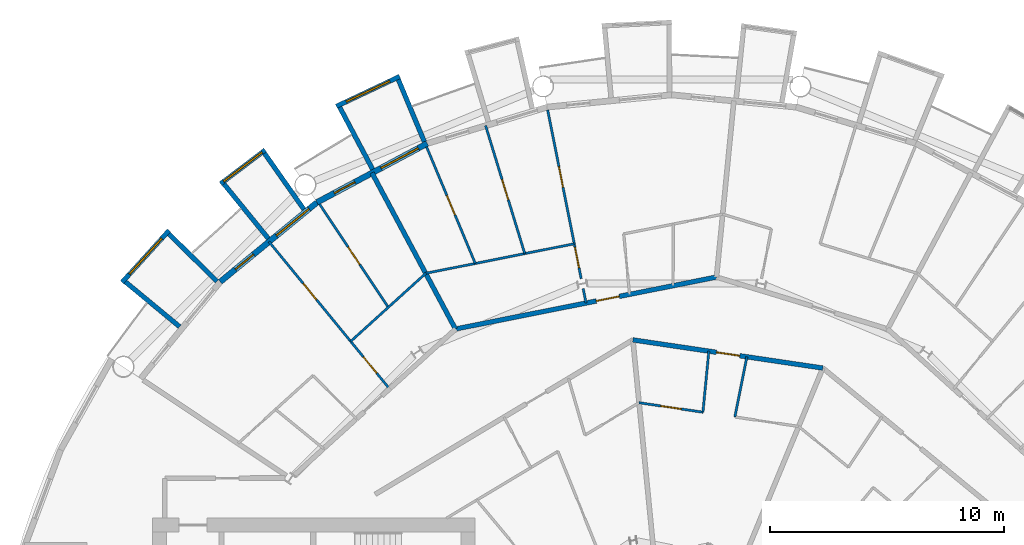
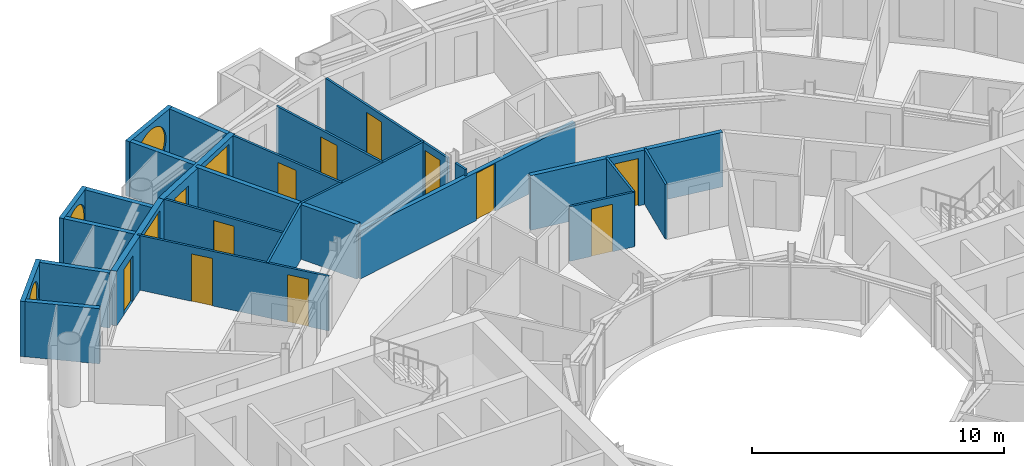
# One storey, part 20 of 27: 25 walls, 12 doors, 5 windows, 17 openings.
"""IFC4 building model written with IfcOpenShell, lengths in metres."""

from ifc_helpers import new_model, si_unit, direction, frame, frame_2d, origin, place, context, subcontext, project, spatial, rectangle, circle, extrude, material, layer, layer_set, type_object, element, fill, save


model = new_model("IFC4")

# Units and contexts
model_context = context("Model", 3, precision=1e-05, world=origin(), true_north=direction((0.0, 1.0)))
body_context = subcontext(model_context, "Body", "Model", "MODEL_VIEW")
ifc_project = project(units=[si_unit("LENGTHUNIT", "METRE"), si_unit("AREAUNIT", "SQUARE_METRE"), si_unit("VOLUMEUNIT", "CUBIC_METRE"), si_unit("PLANEANGLEUNIT", "RADIAN"), si_unit("MASSUNIT", "GRAM", prefix="KILO")], contexts=[model_context])

# Site, building, storey
site_placement = place(None, origin())
site = spatial("IfcSite", under=ifc_project, at=site_placement, CompositionType="ELEMENT")
building_placement = place(site_placement, origin())
building = spatial("IfcBuilding", under=site, at=building_placement, Name="Maasbend Ring Residences", CompositionType="ELEMENT")
storey_placement = place(building_placement, frame((0.0, 0.0, 136.050048828125)))
storey = spatial("IfcBuildingStorey", under=building, at=storey_placement, Name="L39", CompositionType="ELEMENT", Elevation=136.050048828125)

# Wall, opening, door
ifc_material_1 = material(Name="Concrete C30/37", Category="concrete")
ifc_layer_1 = layer(ifc_material_1, 0.199951171875)
ifc_layer_set_1 = layer_set([ifc_layer_1], Name="Concrete C30/37")
wall_type_1 = type_object("IfcWallType", Name="CORRIDOR WALL 200 CONCRETE", PredefinedType="PARTITIONING", material=ifc_layer_set_1)
wall_1_placement = place(storey_placement, frame((-1.656005859375, 16.819091796875, 0.0), z_axis=(0.0, 0.0, 1.0), x_axis=(0.989174071716, -0.146746910856, 0.0)))
wall_1 = element("IfcWall", 1, at=wall_1_placement, inside=storey, type_object=wall_type_1, Name="U-L39-w108", PredefinedType="PARTITIONING", context=body_context, shape_type="SweptSolid", body=[
    extrude(rectangle(XDim=8.2119140625, YDim=0.199951171875, at=frame_2d((4.10595703125, 0.0))), origin(), (0.0, 0.0, 1.0), 2.64990234375),
])
opening_1_placement = place(wall_1_placement, frame((3.614013671875, 0.0, 0.0)))
opening_1 = element("IfcOpeningElement", 2, at=opening_1_placement, cuts=wall_1, Name="Opening D-3928", PredefinedType="OPENING", context=body_context, shape_type="SweptSolid", body=[
    extrude(rectangle(XDim=1.0, YDim=2.300048828125, at=frame_2d((0.5, 1.14990234375))), frame((0.0, 0.10986328125, 0.0), z_axis=(0.0, -1.0, 0.0), x_axis=(1.0, 0.0, 0.0)), (0.0, 0.0, 1.0), 0.219970703125),
])
ifc_material_2 = material(Name="Timber, fire-rated, painted", Category="wood")
door_type_1 = type_object("IfcDoorType", Name="FLAT ENTRANCE DOOR 1000 X 2300 FIRE-RATED", OperationType="NOTDEFINED", PredefinedType="DOOR", material=ifc_material_2)
door_1_placement = place(opening_1_placement, origin())
door_1 = element("IfcDoor", 3, at=door_1_placement, inside=storey, type_object=door_type_1, Name="D-3928", OperationType="SINGLE_SWING_RIGHT", OverallHeight=2.300048828125, OverallWidth=1.0, PredefinedType="DOOR", context=body_context, shape_type="SweptSolid", body=[
    extrude(rectangle(XDim=1.0, YDim=2.300048828125, at=frame_2d((0.5, 1.14990234375))), frame((0.0, 0.02490234375, 0.0), z_axis=(0.0, -1.0, 0.0), x_axis=(1.0, 0.0, 0.0)), (0.0, 0.0, 1.0), 0.050048828125),
])
fill(opening_1, door_1)

wall_2_placement = place(storey_placement, frame((-9.239013671875, 17.285888671875, 0.0), z_axis=(0.0, 0.0, 1.0), x_axis=(0.98077905287, 0.195121627328, 0.0)))
wall_2 = element("IfcWall", 4, at=wall_2_placement, inside=storey, type_object=wall_type_1, Name="U-L39-w109", PredefinedType="PARTITIONING", context=body_context, shape_type="SweptSolid", body=[
    extrude(rectangle(XDim=11.378662109375, YDim=0.199951171875, at=frame_2d((5.689453125, 0.0))), origin(), (0.0, 0.0, 1.0), 2.33984375),
])
opening_2_placement = place(wall_2_placement, frame((6.137939453125, 0.0, 0.0)))
opening_2 = element("IfcOpeningElement", 5, at=opening_2_placement, cuts=wall_2, Name="Opening D-3911", PredefinedType="OPENING", context=body_context, shape_type="SweptSolid", body=[
    extrude(rectangle(XDim=1.0, YDim=2.300048828125, at=frame_2d((0.5, 1.14990234375))), frame((0.0, 0.10986328125, 0.0), z_axis=(0.0, -1.0, 0.0), x_axis=(1.0, 0.0, 0.0)), (0.0, 0.0, 1.0), 0.219970703125),
])
door_2_placement = place(opening_2_placement, origin())
door_2 = element("IfcDoor", 6, at=door_2_placement, inside=storey, type_object=door_type_1, Name="D-3911", OperationType="SINGLE_SWING_RIGHT", OverallHeight=2.300048828125, OverallWidth=1.0, PredefinedType="DOOR", context=body_context, shape_type="SweptSolid", body=[
    extrude(rectangle(XDim=1.0, YDim=2.300048828125, at=frame_2d((0.5, 1.14990234375))), frame((0.0, 0.02490234375, 0.0), z_axis=(0.0, -1.0, 0.0), x_axis=(1.0, 0.0, 0.0)), (0.0, 0.0, 1.0), 0.050048828125),
])
fill(opening_2, door_2)

# Wall, opening, window
ifc_material_3 = material(Name="Pale anodised aluminium panel", Category="aluminium")
ifc_layer_2 = layer(ifc_material_3, 0.199951171875)
ifc_layer_set_2 = layer_set([ifc_layer_2], Name="EW-BOX")
wall_type_2 = type_object("IfcWallType", Name="EW-BOX", PredefinedType="SOLIDWALL", material=ifc_layer_set_2)
wall_3_placement = place(storey_placement, frame((-11.62890625, 28.087890625, -0.030029296875), z_axis=(0.0, 0.0, 1.0), x_axis=(-0.904000060331, -0.427532327342, 0.0)))
wall_3 = element("IfcWall", 7, at=wall_3_placement, inside=storey, type_object=wall_type_2, Name="Box front N15", PredefinedType="SOLIDWALL", context=body_context, shape_type="SweptSolid", body=[
    extrude(rectangle(XDim=2.993408203125, YDim=0.199951171875, at=frame_2d((1.49658203125, 0.0))), origin(), (0.0, 0.0, 1.0), 2.679931640625),
])
opening_3_placement = place(wall_3_placement, frame((0.45654296875, 0.0, 0.330078125)))
opening_3 = element("IfcOpeningElement", 8, at=opening_3_placement, cuts=wall_3, Name="Opening W-RD", PredefinedType="OPENING", context=body_context, shape_type="SweptSolid", body=[
    extrude(circle(Radius=1.0400390625, at=frame_2d((1.0400390625, 1.0400390625))), frame((0.0, 0.10986328125, 0.0), z_axis=(0.0, -1.0, 0.0), x_axis=(1.0, 0.0, 0.0)), (0.0, 0.0, 1.0), 0.219970703125),
])
ifc_material_4 = material(Name="Aluminium and clear glass", Category="aluminium")
window_type_1 = type_object("IfcWindowType", Name="W-RD", PartitioningType="SINGLE_PANEL", PredefinedType="WINDOW", material=ifc_material_4)
window_1_placement = place(opening_3_placement, origin())
window_1 = element("IfcWindow", 9, at=window_1_placement, inside=storey, type_object=window_type_1, Name="Round window N15", OverallHeight=2.080078125, OverallWidth=2.080078125, PartitioningType="SINGLE_PANEL", PredefinedType="WINDOW", context=body_context, shape_type="SweptSolid", body=[
    extrude(circle(Radius=1.0400390625, at=frame_2d((1.0400390625, 1.0400390625))), frame((0.0, 0.030029296875, 0.0), z_axis=(0.0, -1.0, 0.0), x_axis=(1.0, 0.0, 0.0)), (0.0, 0.0, 1.0), 0.06005859375),
])
fill(opening_3, window_1)

# Walls
wall_4_placement = place(storey_placement, frame((-10.574951171875, 25.294921875, -0.030029296875), z_axis=(0.0, 0.0, 1.0), x_axis=(-0.385697364644, 0.922625353492, 0.0)))
element("IfcWall", 10, at=wall_4_placement, inside=storey, type_object=wall_type_2, Name="Box side wall N15 left", PredefinedType="SOLIDWALL", context=body_context, shape_type="SweptSolid", body=[
    extrude(rectangle(XDim=2.88330078125, YDim=0.199951171875, at=frame_2d((1.441650390625, 0.0))), origin(), (0.0, 0.0, 1.0), 2.679931640625),
])
wall_5_placement = place(storey_placement, frame((-12.787109375, 24.113037109375, -0.030029296875), z_axis=(0.0, 0.0, 1.0), x_axis=(-0.468365282436, 0.883534924159, 0.0)))
element("IfcWall", 11, at=wall_5_placement, inside=storey, type_object=wall_type_2, Name="Box side wall N15 right", PredefinedType="SOLIDWALL", context=body_context, shape_type="SweptSolid", body=[
    extrude(rectangle(XDim=3.006103515625, YDim=0.199951171875, at=frame_2d((1.5029296875, 0.0))), origin(), (0.0, 0.0, 1.0), 2.679931640625),
])

# Wall, opening, window
wall_6_placement = place(storey_placement, frame((-17.382080078125, 24.93994140625, -0.030029296875), z_axis=(0.0, 0.0, 1.0), x_axis=(-0.797456837111, -0.603375996329, 0.0)))
wall_6 = element("IfcWall", 12, at=wall_6_placement, inside=storey, type_object=wall_type_2, Name="Box front N17", PredefinedType="SOLIDWALL", context=body_context, shape_type="SweptSolid", body=[
    extrude(rectangle(XDim=2.391357421875, YDim=0.199951171875, at=frame_2d((1.19580078125, 0.0))), origin(), (0.0, 0.0, 1.0), 2.679931640625),
])
opening_4_placement = place(wall_6_placement, frame((0.15576171875, 0.0, 0.330078125)))
opening_4 = element("IfcOpeningElement", 13, at=opening_4_placement, cuts=wall_6, Name="Opening W-RD", PredefinedType="OPENING", context=body_context, shape_type="SweptSolid", body=[
    extrude(circle(Radius=1.0400390625, at=frame_2d((1.0400390625, 1.0400390625))), frame((0.0, 0.10986328125, 0.0), z_axis=(0.0, -1.0, 0.0), x_axis=(1.0, 0.0, 0.0)), (0.0, 0.0, 1.0), 0.219970703125),
])
window_2_placement = place(opening_4_placement, origin())
window_2 = element("IfcWindow", 14, at=window_2_placement, inside=storey, type_object=window_type_1, Name="Round window N17", OverallHeight=2.080078125, OverallWidth=2.080078125, PartitioningType="SINGLE_PANEL", PredefinedType="WINDOW", context=body_context, shape_type="SweptSolid", body=[
    extrude(circle(Radius=1.0400390625, at=frame_2d((1.0400390625, 1.0400390625))), frame((0.0, 0.030029296875, 0.0), z_axis=(0.0, -1.0, 0.0), x_axis=(1.0, 0.0, 0.0)), (0.0, 0.0, 1.0), 0.06005859375),
])
fill(opening_4, window_2)

# Walls
wall_7_placement = place(storey_placement, frame((-15.72607421875, 22.402099609375, -0.030029296875), z_axis=(0.0, 0.0, 1.0), x_axis=(-0.574826383135, 0.818275399393, 0.0)))
element("IfcWall", 15, at=wall_7_placement, inside=storey, type_object=wall_type_2, Name="Box side wall N17 left", PredefinedType="SOLIDWALL", context=body_context, shape_type="SweptSolid", body=[
    extrude(rectangle(XDim=2.92919921875, YDim=0.199951171875, at=frame_2d((1.464599609375, 0.0))), origin(), (0.0, 0.0, 1.0), 2.679931640625),
])
wall_8_placement = place(storey_placement, frame((-17.24609375, 21.155029296875, -0.030029296875), z_axis=(0.0, 0.0, 1.0), x_axis=(-0.631741648902, 0.775179004516, 0.0)))
element("IfcWall", 16, at=wall_8_placement, inside=storey, type_object=wall_type_2, Name="Box side wall N17 right", PredefinedType="SOLIDWALL", context=body_context, shape_type="SweptSolid", body=[
    extrude(rectangle(XDim=3.005859375, YDim=0.199951171875, at=frame_2d((1.5029296875, 0.0))), origin(), (0.0, 0.0, 1.0), 2.679931640625),
])

# Wall, opening, window
wall_9_placement = place(storey_placement, frame((-21.492919921875, 21.5, -0.030029296875), z_axis=(0.0, 0.0, 1.0), x_axis=(-0.671506829416, -0.740998365753, 0.0)))
wall_9 = element("IfcWall", 17, at=wall_9_placement, inside=storey, type_object=wall_type_2, Name="Box front N19", PredefinedType="SOLIDWALL", context=body_context, shape_type="SweptSolid", body=[
    extrude(rectangle(XDim=2.9931640625, YDim=0.199951171875, at=frame_2d((1.49658203125, 0.0))), origin(), (0.0, 0.0, 1.0), 2.679931640625),
])
opening_5_placement = place(wall_9_placement, frame((0.45654296875, 0.0, 0.330078125)))
opening_5 = element("IfcOpeningElement", 18, at=opening_5_placement, cuts=wall_9, Name="Opening W-RD", PredefinedType="OPENING", context=body_context, shape_type="SweptSolid", body=[
    extrude(circle(Radius=1.0400390625, at=frame_2d((1.0400390625, 1.0400390625))), frame((0.0, 0.10986328125, 0.0), z_axis=(0.0, -1.0, 0.0), x_axis=(1.0, 0.0, 0.0)), (0.0, 0.0, 1.0), 0.219970703125),
])
window_3_placement = place(opening_5_placement, origin())
window_3 = element("IfcWindow", 19, at=window_3_placement, inside=storey, type_object=window_type_1, Name="Round window N19", OverallHeight=2.080078125, OverallWidth=2.080078125, PartitioningType="SINGLE_PANEL", PredefinedType="WINDOW", context=body_context, shape_type="SweptSolid", body=[
    extrude(circle(Radius=1.0400390625, at=frame_2d((1.0400390625, 1.0400390625))), frame((0.0, 0.030029296875, 0.0), z_axis=(0.0, -1.0, 0.0), x_axis=(1.0, 0.0, 0.0)), (0.0, 0.0, 1.0), 0.06005859375),
])
fill(opening_5, window_3)

# Walls
wall_10_placement = place(storey_placement, frame((-19.449951171875, 19.322998046875, -0.030029296875), z_axis=(0.0, 0.0, 1.0), x_axis=(-0.709727076896, 0.704476739375, 0.0)))
element("IfcWall", 20, at=wall_10_placement, inside=storey, type_object=wall_type_2, Name="Box side wall N19 left", PredefinedType="SOLIDWALL", context=body_context, shape_type="SweptSolid", body=[
    extrude(rectangle(XDim=2.883056640625, YDim=0.199951171875, at=frame_2d((1.44140625, 0.0))), origin(), (0.0, 0.0, 1.0), 2.679931640625),
])
wall_11_placement = place(storey_placement, frame((-21.041015625, 17.384033203125, -0.030029296875), z_axis=(0.0, 0.0, 1.0), x_axis=(-0.770784861449, 0.63709551667, 0.0)))
element("IfcWall", 21, at=wall_11_placement, inside=storey, type_object=wall_type_2, Name="Box side wall N19 right", PredefinedType="SOLIDWALL", context=body_context, shape_type="SweptSolid", body=[
    extrude(rectangle(XDim=3.005859375, YDim=0.199951171875, at=frame_2d((1.5029296875, 0.0))), origin(), (0.0, 0.0, 1.0), 2.679931640625),
])

# Wall, openings, door, window
ifc_material_5 = material(Name="Aluminium clad insulated panel", Category="aluminium")
ifc_layer_3 = layer(ifc_material_5, 0.25)
ifc_layer_set_3 = layer_set([ifc_layer_3], Name="EW-GL")
wall_type_3 = type_object("IfcWallType", Name="EW-GL", PredefinedType="SOLIDWALL", material=ifc_layer_set_3)
wall_12_placement = place(storey_placement, frame((-10.447021484375, 25.221923828125, 0.0), z_axis=(0.0, 0.0, 1.0), x_axis=(-0.881915646801, -0.471407246368, 0.0)))
wall_12 = element("IfcWall", 22, at=wall_12_placement, inside=storey, type_object=wall_type_3, Name="External wall N08", PredefinedType="SOLIDWALL", context=body_context, shape_type="SweptSolid", body=[
    extrude(rectangle(XDim=5.35205078125, YDim=0.25, at=frame_2d((2.676025390625, 0.0))), origin(), (0.0, 0.0, 1.0), 2.64990234375),
])
opening_6_placement = place(wall_12_placement, frame((0.441162109375, 0.0, 0.300048828125)))
opening_6 = element("IfcOpeningElement", 23, at=opening_6_placement, cuts=wall_12, Name="Opening W-BX", PredefinedType="OPENING", context=body_context, shape_type="SweptSolid", body=[
    extrude(rectangle(XDim=1.800048828125, YDim=2.10009765625, at=frame_2d((0.89990234375, 1.050048828125))), frame((0.0, 0.135009765625, 0.0), z_axis=(0.0, -1.0, 0.0), x_axis=(1.0, 0.0, 0.0)), (0.0, 0.0, 1.0), 0.27001953125),
])
opening_7_placement = place(wall_12_placement, frame((3.510498046875, 0.0, 0.0)))
opening_7 = element("IfcOpeningElement", 24, at=opening_7_placement, cuts=wall_12, Name="Opening D-LG", PredefinedType="OPENING", context=body_context, shape_type="SweptSolid", body=[
    extrude(rectangle(XDim=1.0, YDim=2.199951171875, at=frame_2d((0.5, 1.10009765625))), frame((0.0, 0.135009765625, 0.0), z_axis=(0.0, -1.0, 0.0), x_axis=(1.0, 0.0, 0.0)), (0.0, 0.0, 1.0), 0.27001953125),
])
ifc_material_6 = material(Name="Aluminium and clear glass", Category="aluminium")
door_type_2 = type_object("IfcDoorType", Name="D-LG", OperationType="SINGLE_SWING_LEFT", PredefinedType="DOOR", material=ifc_material_6)
door_3_placement = place(opening_7_placement, origin())
door_3 = element("IfcDoor", 25, at=door_3_placement, inside=storey, type_object=door_type_2, Name="Loggia door N16", OperationType="SINGLE_SWING_LEFT", OverallHeight=2.199951171875, OverallWidth=1.0, PredefinedType="DOOR", context=body_context, shape_type="SweptSolid", body=[
    extrude(rectangle(XDim=1.0, YDim=2.199951171875, at=frame_2d((0.5, 1.10009765625))), frame((0.0, 0.02490234375, 0.0), z_axis=(0.0, -1.0, 0.0), x_axis=(1.0, 0.0, 0.0)), (0.0, 0.0, 1.0), 0.050048828125),
])
fill(opening_7, door_3)
ifc_material_7 = material(Name="Aluminium and clear glass", Category="aluminium")
window_type_2 = type_object("IfcWindowType", Name="W-BX", PartitioningType="DOUBLE_PANEL_VERTICAL", PredefinedType="WINDOW", material=ifc_material_7)
window_4_placement = place(opening_6_placement, origin())
window_4 = element("IfcWindow", 26, at=window_4_placement, inside=storey, type_object=window_type_2, Name="Window N15 room to box", OverallHeight=2.10009765625, OverallWidth=1.800048828125, PartitioningType="SINGLE_PANEL", PredefinedType="WINDOW", context=body_context, shape_type="SweptSolid", body=[
    extrude(rectangle(XDim=1.800048828125, YDim=2.10009765625, at=frame_2d((0.89990234375, 1.050048828125))), frame((0.0, 0.030029296875, 0.0), z_axis=(0.0, -1.0, 0.0), x_axis=(1.0, 0.0, 0.0)), (0.0, 0.0, 1.0), 0.06005859375),
])
fill(opening_6, window_4)

wall_13_placement = place(storey_placement, frame((-15.1669921875, 22.698974609375, 0.0), z_axis=(0.0, 0.0, 1.0), x_axis=(-0.773019449054, -0.634382322723, 0.0)))
wall_13 = element("IfcWall", 27, at=wall_13_placement, inside=storey, type_object=wall_type_3, Name="External wall N09", PredefinedType="SOLIDWALL", context=body_context, shape_type="SweptSolid", body=[
    extrude(rectangle(XDim=5.351806640625, YDim=0.25, at=frame_2d((2.67578125, 0.0))), origin(), (0.0, 0.0, 1.0), 2.64990234375),
])
opening_8_placement = place(wall_13_placement, frame((0.441162109375, 0.0, 0.300048828125)))
opening_8 = element("IfcOpeningElement", 28, at=opening_8_placement, cuts=wall_13, Name="Opening W-BX", PredefinedType="OPENING", context=body_context, shape_type="SweptSolid", body=[
    extrude(rectangle(XDim=1.800048828125, YDim=2.10009765625, at=frame_2d((0.89990234375, 1.050048828125))), frame((0.0, 0.135009765625, 0.0), z_axis=(0.0, -1.0, 0.0), x_axis=(1.0, 0.0, 0.0)), (0.0, 0.0, 1.0), 0.27001953125),
])
opening_9_placement = place(wall_13_placement, frame((3.510498046875, 0.0, 0.0)))
opening_9 = element("IfcOpeningElement", 29, at=opening_9_placement, cuts=wall_13, Name="Opening D-LG", PredefinedType="OPENING", context=body_context, shape_type="SweptSolid", body=[
    extrude(rectangle(XDim=1.0, YDim=2.199951171875, at=frame_2d((0.5, 1.10009765625))), frame((0.0, 0.135009765625, 0.0), z_axis=(0.0, -1.0, 0.0), x_axis=(1.0, 0.0, 0.0)), (0.0, 0.0, 1.0), 0.27001953125),
])
door_4_placement = place(opening_9_placement, origin())
door_4 = element("IfcDoor", 30, at=door_4_placement, inside=storey, type_object=door_type_2, Name="Loggia door N18", OperationType="SINGLE_SWING_LEFT", OverallHeight=2.199951171875, OverallWidth=1.0, PredefinedType="DOOR", context=body_context, shape_type="SweptSolid", body=[
    extrude(rectangle(XDim=1.0, YDim=2.199951171875, at=frame_2d((0.5, 1.10009765625))), frame((0.0, 0.02490234375, 0.0), z_axis=(0.0, -1.0, 0.0), x_axis=(1.0, 0.0, 0.0)), (0.0, 0.0, 1.0), 0.050048828125),
])
fill(opening_9, door_4)
window_5_placement = place(opening_8_placement, origin())
window_5 = element("IfcWindow", 31, at=window_5_placement, inside=storey, type_object=window_type_2, Name="Window N17 room to box", OverallHeight=2.10009765625, OverallWidth=1.800048828125, PartitioningType="SINGLE_PANEL", PredefinedType="WINDOW", context=body_context, shape_type="SweptSolid", body=[
    extrude(rectangle(XDim=1.800048828125, YDim=2.10009765625, at=frame_2d((0.89990234375, 1.050048828125))), frame((0.0, 0.030029296875, 0.0), z_axis=(0.0, -1.0, 0.0), x_axis=(1.0, 0.0, 0.0)), (0.0, 0.0, 1.0), 0.06005859375),
])
fill(opening_8, window_5)

# Wall, openings, doors
ifc_material_8 = material(Name="Gypsum board on steel studs", Category="steel")
ifc_layer_4 = layer(ifc_material_8, 0.10009765625)
ifc_layer_set_4 = layer_set([ifc_layer_4], Name="PARTITION 100 GYPSUM")
wall_type_4 = type_object("IfcWallType", Name="PARTITION 100 GYPSUM", PredefinedType="PARTITIONING", material=ifc_layer_set_4)
wall_14_placement = place(storey_placement, frame((-17.220947265625, 21.02197265625, 0.0), z_axis=(0.0, 0.0, 1.0), x_axis=(0.633735868108, -0.773549513266, 0.0)))
wall_14 = element("IfcWall", 32, at=wall_14_placement, inside=storey, type_object=wall_type_4, Name="U-L39-w032", PredefinedType="PARTITIONING", context=body_context, shape_type="SweptSolid", body=[
    extrude(rectangle(XDim=8.138916015625, YDim=0.10009765625, at=frame_2d((4.0693359375, 0.0))), origin(), (0.0, 0.0, 1.0), 2.64990234375),
])
opening_10_placement = place(wall_14_placement, frame((6.3779296875, 0.0, 0.0)))
opening_10 = element("IfcOpeningElement", 33, at=opening_10_placement, cuts=wall_14, Name="Opening D-3921", PredefinedType="OPENING", context=body_context, shape_type="SweptSolid", body=[
    extrude(rectangle(XDim=0.89990234375, YDim=2.300048828125, at=frame_2d((0.449951171875, 1.14990234375))), frame((0.0, 0.06005859375, 0.0), z_axis=(0.0, -1.0, 0.0), x_axis=(1.0, 0.0, 0.0)), (0.0, 0.0, 1.0), 0.1201171875),
])
opening_11_placement = place(wall_14_placement, frame((2.30810546875, 0.0, 0.0)))
opening_11 = element("IfcOpeningElement", 34, at=opening_11_placement, cuts=wall_14, Name="Opening D-3922", PredefinedType="OPENING", context=body_context, shape_type="SweptSolid", body=[
    extrude(rectangle(XDim=0.89990234375, YDim=2.300048828125, at=frame_2d((0.449951171875, 1.14990234375))), frame((0.0, 0.06005859375, 0.0), z_axis=(0.0, -1.0, 0.0), x_axis=(1.0, 0.0, 0.0)), (0.0, 0.0, 1.0), 0.1201171875),
])
ifc_material_9 = material(Name="Timber, painted", Category="wood")
door_type_3 = type_object("IfcDoorType", Name="INTERNAL DOOR 900 X 2300", OperationType="NOTDEFINED", PredefinedType="DOOR", material=ifc_material_9)
door_5_placement = place(opening_10_placement, origin())
door_5 = element("IfcDoor", 35, at=door_5_placement, inside=storey, type_object=door_type_3, Name="D-3921", OperationType="SINGLE_SWING_RIGHT", OverallHeight=2.300048828125, OverallWidth=0.89990234375, PredefinedType="DOOR", context=body_context, shape_type="SweptSolid", body=[
    extrude(rectangle(XDim=0.89990234375, YDim=2.300048828125, at=frame_2d((0.449951171875, 1.14990234375))), frame((0.0, 0.02490234375, 0.0), z_axis=(0.0, -1.0, 0.0), x_axis=(1.0, 0.0, 0.0)), (0.0, 0.0, 1.0), 0.050048828125),
])
fill(opening_10, door_5)
door_6_placement = place(opening_11_placement, origin())
door_6 = element("IfcDoor", 36, at=door_6_placement, inside=storey, type_object=door_type_3, Name="D-3922", OperationType="SINGLE_SWING_LEFT", OverallHeight=2.300048828125, OverallWidth=0.89990234375, PredefinedType="DOOR", context=body_context, shape_type="SweptSolid", body=[
    extrude(rectangle(XDim=0.89990234375, YDim=2.300048828125, at=frame_2d((0.449951171875, 1.14990234375))), frame((0.0, 0.02490234375, 0.0), z_axis=(0.0, -1.0, 0.0), x_axis=(1.0, 0.0, 0.0)), (0.0, 0.0, 1.0), 0.050048828125),
])
fill(opening_11, door_6)

# Wall, opening, door
wall_15_placement = place(storey_placement, frame((-15.053955078125, 22.6240234375, 0.0), z_axis=(0.0, 0.0, 1.0), x_axis=(0.553913391217, -0.832574294, 0.0)))
wall_15 = element("IfcWall", 37, at=wall_15_placement, inside=storey, type_object=wall_type_4, Name="U-L39-w037", PredefinedType="PARTITIONING", context=body_context, shape_type="SweptSolid", body=[
    extrude(rectangle(XDim=5.300537109375, YDim=0.10009765625, at=frame_2d((2.650390625, 0.0))), origin(), (0.0, 0.0, 1.0), 2.64990234375),
])
opening_12_placement = place(wall_15_placement, frame((2.199951171875, 0.0, 0.0)))
opening_12 = element("IfcOpeningElement", 38, at=opening_12_placement, cuts=wall_15, Name="Opening D-3923", PredefinedType="OPENING", context=body_context, shape_type="SweptSolid", body=[
    extrude(rectangle(XDim=0.89990234375, YDim=2.300048828125, at=frame_2d((0.449951171875, 1.14990234375))), frame((0.0, 0.06005859375, 0.0), z_axis=(0.0, -1.0, 0.0), x_axis=(1.0, 0.0, 0.0)), (0.0, 0.0, 1.0), 0.1201171875),
])
door_7_placement = place(opening_12_placement, origin())
door_7 = element("IfcDoor", 39, at=door_7_placement, inside=storey, type_object=door_type_3, Name="D-3923", OperationType="SINGLE_SWING_LEFT", OverallHeight=2.300048828125, OverallWidth=0.89990234375, PredefinedType="DOOR", context=body_context, shape_type="SweptSolid", body=[
    extrude(rectangle(XDim=0.89990234375, YDim=2.300048828125, at=frame_2d((0.449951171875, 1.14990234375))), frame((0.0, 0.02490234375, 0.0), z_axis=(0.0, -1.0, 0.0), x_axis=(1.0, 0.0, 0.0)), (0.0, 0.0, 1.0), 0.050048828125),
])
fill(opening_12, door_7)

wall_16_placement = place(storey_placement, frame((-10.47900390625, 25.072998046875, 0.0), z_axis=(0.0, 0.0, 1.0), x_axis=(0.385542476694, -0.922690088093, 0.0)))
wall_16 = element("IfcWall", 40, at=wall_16_placement, inside=storey, type_object=wall_type_4, Name="U-L39-w041", PredefinedType="PARTITIONING", context=body_context, shape_type="SweptSolid", body=[
    extrude(rectangle(XDim=5.40283203125, YDim=0.10009765625, at=frame_2d((2.701416015625, 0.0))), origin(), (0.0, 0.0, 1.0), 2.64990234375),
])
opening_13_placement = place(wall_16_placement, frame((2.2509765625, 0.0, 0.0)))
opening_13 = element("IfcOpeningElement", 41, at=opening_13_placement, cuts=wall_16, Name="Opening D-3917", PredefinedType="OPENING", context=body_context, shape_type="SweptSolid", body=[
    extrude(rectangle(XDim=0.89990234375, YDim=2.300048828125, at=frame_2d((0.449951171875, 1.14990234375))), frame((0.0, 0.06005859375, 0.0), z_axis=(0.0, -1.0, 0.0), x_axis=(1.0, 0.0, 0.0)), (0.0, 0.0, 1.0), 0.1201171875),
])
door_8_placement = place(opening_13_placement, origin())
door_8 = element("IfcDoor", 42, at=door_8_placement, inside=storey, type_object=door_type_3, Name="D-3917", OperationType="SINGLE_SWING_RIGHT", OverallHeight=2.300048828125, OverallWidth=0.89990234375, PredefinedType="DOOR", context=body_context, shape_type="SweptSolid", body=[
    extrude(rectangle(XDim=0.89990234375, YDim=2.300048828125, at=frame_2d((0.449951171875, 1.14990234375))), frame((0.0, 0.02490234375, 0.0), z_axis=(0.0, -1.0, 0.0), x_axis=(1.0, 0.0, 0.0)), (0.0, 0.0, 1.0), 0.050048828125),
])
fill(opening_13, door_8)

wall_17_placement = place(storey_placement, frame((-7.9560546875, 25.98388671875, 0.0), z_axis=(0.0, 0.0, 1.0), x_axis=(0.292722228482, -0.956197519842, 0.0)))
wall_17 = element("IfcWall", 43, at=wall_17_placement, inside=storey, type_object=wall_type_4, Name="U-L39-w046", PredefinedType="PARTITIONING", context=body_context, shape_type="SweptSolid", body=[
    extrude(rectangle(XDim=5.7255859375, YDim=0.10009765625, at=frame_2d((2.86279296875, 0.0))), origin(), (0.0, 0.0, 1.0), 2.64990234375),
])
opening_14_placement = place(wall_17_placement, frame((2.4130859375, 0.0, 0.0)))
opening_14 = element("IfcOpeningElement", 44, at=opening_14_placement, cuts=wall_17, Name="Opening D-3916", PredefinedType="OPENING", context=body_context, shape_type="SweptSolid", body=[
    extrude(rectangle(XDim=0.89990234375, YDim=2.300048828125, at=frame_2d((0.449951171875, 1.14990234375))), frame((0.0, 0.06005859375, 0.0), z_axis=(0.0, -1.0, 0.0), x_axis=(1.0, 0.0, 0.0)), (0.0, 0.0, 1.0), 0.1201171875),
])
door_9_placement = place(opening_14_placement, origin())
door_9 = element("IfcDoor", 45, at=door_9_placement, inside=storey, type_object=door_type_3, Name="D-3916", OperationType="SINGLE_SWING_RIGHT", OverallHeight=2.300048828125, OverallWidth=0.89990234375, PredefinedType="DOOR", context=body_context, shape_type="SweptSolid", body=[
    extrude(rectangle(XDim=0.89990234375, YDim=2.300048828125, at=frame_2d((0.449951171875, 1.14990234375))), frame((0.0, 0.02490234375, 0.0), z_axis=(0.0, -1.0, 0.0), x_axis=(1.0, 0.0, 0.0)), (0.0, 0.0, 1.0), 0.050048828125),
])
fill(opening_14, door_9)

# Wall, openings, doors
wall_18_placement = place(storey_placement, frame((-5.301025390625, 26.653076171875, 0.0), z_axis=(0.0, 0.0, 1.0), x_axis=(0.194999559373, -0.98080332985, 0.0)))
wall_18 = element("IfcWall", 46, at=wall_18_placement, inside=storey, type_object=wall_type_4, Name="U-L39-w051", PredefinedType="PARTITIONING", context=body_context, shape_type="SweptSolid", body=[
    extrude(rectangle(XDim=7.359375, YDim=0.10009765625, at=frame_2d((3.6796875, 0.0))), origin(), (0.0, 0.0, 1.0), 2.64990234375),
])
opening_15_placement = place(wall_18_placement, frame((5.985107421875, 0.0, 0.0)))
opening_15 = element("IfcOpeningElement", 47, at=opening_15_placement, cuts=wall_18, Name="Opening D-3914", PredefinedType="OPENING", context=body_context, shape_type="SweptSolid", body=[
    extrude(rectangle(XDim=0.89990234375, YDim=2.300048828125, at=frame_2d((0.449951171875, 1.14990234375))), frame((0.0, 0.06005859375, 0.0), z_axis=(0.0, -1.0, 0.0), x_axis=(1.0, 0.0, 0.0)), (0.0, 0.0, 1.0), 0.1201171875),
])
opening_16_placement = place(wall_18_placement, frame((2.467041015625, 0.0, 0.0)))
opening_16 = element("IfcOpeningElement", 48, at=opening_16_placement, cuts=wall_18, Name="Opening D-3915", PredefinedType="OPENING", context=body_context, shape_type="SweptSolid", body=[
    extrude(rectangle(XDim=0.89990234375, YDim=2.300048828125, at=frame_2d((0.449951171875, 1.14990234375))), frame((0.0, 0.06005859375, 0.0), z_axis=(0.0, -1.0, 0.0), x_axis=(1.0, 0.0, 0.0)), (0.0, 0.0, 1.0), 0.1201171875),
])
door_10_placement = place(opening_15_placement, origin())
door_10 = element("IfcDoor", 49, at=door_10_placement, inside=storey, type_object=door_type_3, Name="D-3914", OperationType="SINGLE_SWING_RIGHT", OverallHeight=2.300048828125, OverallWidth=0.89990234375, PredefinedType="DOOR", context=body_context, shape_type="SweptSolid", body=[
    extrude(rectangle(XDim=0.89990234375, YDim=2.300048828125, at=frame_2d((0.449951171875, 1.14990234375))), frame((0.0, 0.02490234375, 0.0), z_axis=(0.0, -1.0, 0.0), x_axis=(1.0, 0.0, 0.0)), (0.0, 0.0, 1.0), 0.050048828125),
])
fill(opening_15, door_10)
door_11_placement = place(opening_16_placement, origin())
door_11 = element("IfcDoor", 50, at=door_11_placement, inside=storey, type_object=door_type_3, Name="D-3915", OperationType="SINGLE_SWING_LEFT", OverallHeight=2.300048828125, OverallWidth=0.89990234375, PredefinedType="DOOR", context=body_context, shape_type="SweptSolid", body=[
    extrude(rectangle(XDim=0.89990234375, YDim=2.300048828125, at=frame_2d((0.449951171875, 1.14990234375))), frame((0.0, 0.02490234375, 0.0), z_axis=(0.0, -1.0, 0.0), x_axis=(1.0, 0.0, 0.0)), (0.0, 0.0, 1.0), 0.050048828125),
])
fill(opening_16, door_11)

# Walls
wall_19_placement = place(storey_placement, frame((-3.781005859375, 19.011962890625, 0.0), z_axis=(0.0, 0.0, 1.0), x_axis=(0.194396175087, -0.980923099489, 0.0)))
element("IfcWall", 51, at=wall_19_placement, inside=storey, type_object=wall_type_4, Name="U-L39-w057", PredefinedType="PARTITIONING", context=body_context, shape_type="SweptSolid", body=[
    extrude(rectangle(XDim=0.6279296875, YDim=0.10009765625, at=frame_2d((0.31396484375, 0.0))), origin(), (0.0, 0.0, 1.0), 2.64990234375),
])
wall_20_placement = place(storey_placement, frame((1.339111328125, 13.72705078125, 0.0), z_axis=(0.0, 0.0, 1.0), x_axis=(0.096830025237, 0.995300932489, 0.0)))
element("IfcWall", 52, at=wall_20_placement, inside=storey, type_object=wall_type_4, Name="U-L39-w065", PredefinedType="PARTITIONING", context=body_context, shape_type="SweptSolid", body=[
    extrude(rectangle(XDim=2.6220703125, YDim=0.10009765625, at=frame_2d((1.31103515625, 0.0))), origin(), (0.0, 0.0, 1.0), 2.64990234375),
])
wall_21_placement = place(storey_placement, frame((2.7041015625, 13.52392578125, 0.0), z_axis=(0.0, 0.0, 1.0), x_axis=(0.195937128464, 0.980616460034, 0.0)))
element("IfcWall", 53, at=wall_21_placement, inside=storey, type_object=wall_type_4, Name="U-L39-w069", PredefinedType="PARTITIONING", context=body_context, shape_type="SweptSolid", body=[
    extrude(rectangle(XDim=2.622802734375, YDim=0.10009765625, at=frame_2d((1.3115234375, 0.0))), origin(), (0.0, 0.0, 1.0), 2.64990234375),
])

# Wall, opening, door
wall_22_placement = place(storey_placement, frame((-1.39208984375, 14.132080078125, 0.0), z_axis=(0.0, 0.0, 1.0), x_axis=(0.989153611195, -0.146884762516, 0.0)))
wall_22 = element("IfcWall", 54, at=wall_22_placement, inside=storey, type_object=wall_type_4, Name="U-L39-w104", PredefinedType="PARTITIONING", context=body_context, shape_type="SweptSolid", body=[
    extrude(rectangle(XDim=2.76416015625, YDim=0.10009765625, at=frame_2d((1.382080078125, 0.0))), origin(), (0.0, 0.0, 1.0), 2.64990234375),
])
opening_17_placement = place(wall_22_placement, frame((0.931884765625, 0.0, 0.0)))
opening_17 = element("IfcOpeningElement", 55, at=opening_17_placement, cuts=wall_22, Name="Opening D-3930", PredefinedType="OPENING", context=body_context, shape_type="SweptSolid", body=[
    extrude(rectangle(XDim=0.89990234375, YDim=2.300048828125, at=frame_2d((0.449951171875, 1.14990234375))), frame((0.0, 0.06005859375, 0.0), z_axis=(0.0, -1.0, 0.0), x_axis=(1.0, 0.0, 0.0)), (0.0, 0.0, 1.0), 0.1201171875),
])
door_12_placement = place(opening_17_placement, origin())
door_12 = element("IfcDoor", 56, at=door_12_placement, inside=storey, type_object=door_type_3, Name="D-3930", OperationType="SINGLE_SWING_RIGHT", OverallHeight=2.300048828125, OverallWidth=0.89990234375, PredefinedType="DOOR", context=body_context, shape_type="SweptSolid", body=[
    extrude(rectangle(XDim=0.89990234375, YDim=2.300048828125, at=frame_2d((0.449951171875, 1.14990234375))), frame((0.0, 0.02490234375, 0.0), z_axis=(0.0, -1.0, 0.0), x_axis=(1.0, 0.0, 0.0)), (0.0, 0.0, 1.0), 0.050048828125),
])
fill(opening_17, door_12)

# Walls
wall_23_placement = place(storey_placement, frame((-10.512939453125, 19.6669921875, 0.0), z_axis=(0.0, 0.0, 1.0), x_axis=(0.980783231687, 0.195100621324, 0.0)))
element("IfcWall", 57, at=wall_23_placement, inside=storey, type_object=wall_type_4, Name="U-L39-w117", PredefinedType="PARTITIONING", context=body_context, shape_type="SweptSolid", body=[
    extrude(rectangle(XDim=6.473388671875, YDim=0.10009765625, at=frame_2d((3.23681640625, 0.0))), origin(), (0.0, 0.0, 1.0), 2.64990234375),
])
wall_24_placement = place(storey_placement, frame((-13.72412109375, 16.7548828125, 0.0), z_axis=(0.0, 0.0, 1.0), x_axis=(0.741022791884, 0.671479874537, 0.0)))
element("IfcWall", 58, at=wall_24_placement, inside=storey, type_object=wall_type_4, Name="U-L39-w120", PredefinedType="PARTITIONING", context=body_context, shape_type="SweptSolid", body=[
    extrude(rectangle(XDim=4.3427734375, YDim=0.10009765625, at=frame_2d((2.17138671875, 0.0))), origin(), (0.0, 0.0, 1.0), 2.64990234375),
])
ifc_material_10 = material(Name="Concrete C30/37", Category="concrete")
ifc_layer_5 = layer(ifc_material_10, 0.199951171875)
ifc_layer_set_5 = layer_set([ifc_layer_5], Name="Concrete C30/37")
wall_type_5 = type_object("IfcWallType", Name="PARTY WALL 200 CONCRETE", PredefinedType="PARTITIONING", material=ifc_layer_set_5)
wall_25_placement = place(storey_placement, frame((-12.81494140625, 23.962890625, 0.0), z_axis=(0.0, 0.0, 1.0), x_axis=(0.471506520577, -0.881862574925, 0.0)))
element("IfcWall", 59, at=wall_25_placement, inside=storey, type_object=wall_type_5, Name="U-L39-w039", PredefinedType="PARTITIONING", context=body_context, shape_type="SweptSolid", body=[
    extrude(rectangle(XDim=7.57373046875, YDim=0.199951171875, at=frame_2d((3.786865234375, 0.0))), origin(), (0.0, 0.0, 1.0), 2.64990234375),
])

save(model, "model.ifc")
